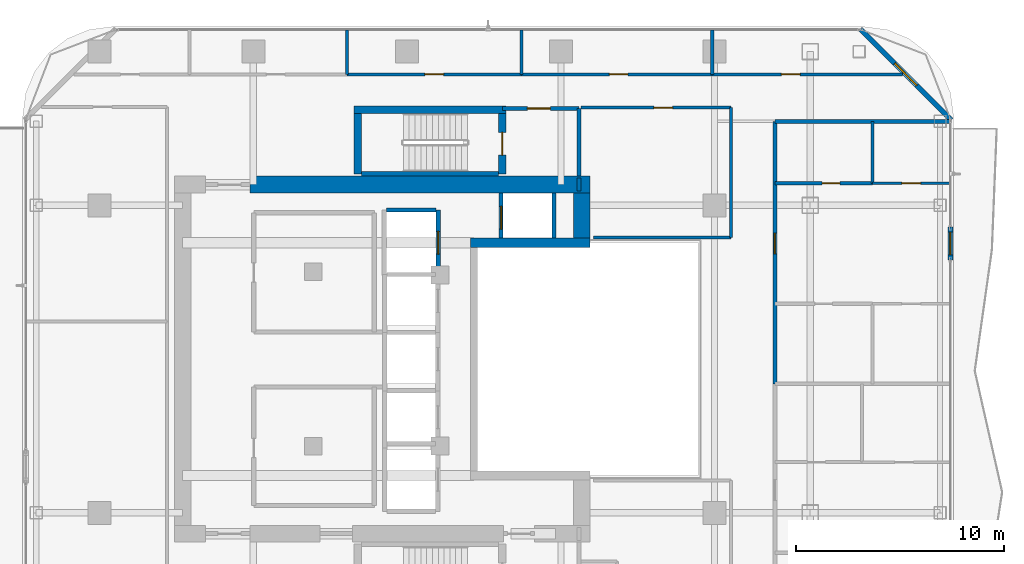
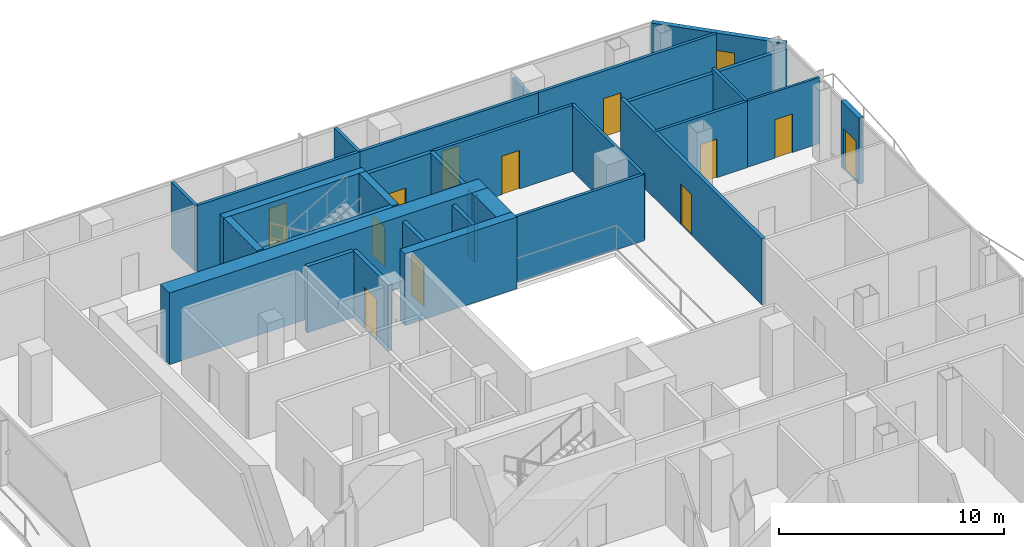
# One storey, part 23 of 27: 30 walls, 12 doors, 1 window, 13 openings.
"""IFC4 building model written with IfcOpenShell, lengths in metres."""

from ifc_helpers import new_model, si_unit, direction, frame, frame_2d, origin, place, context, subcontext, project, spatial, rectangle, extrude, material, layer, layer_set, type_object, element, fill, save


model = new_model("IFC4")

# Units and contexts
model_context = context("Model", 3, precision=1e-05, world=origin(), true_north=direction((0.0, 1.0)))
body_context = subcontext(model_context, "Body", "Model", "MODEL_VIEW")
ifc_project = project(units=[si_unit("LENGTHUNIT", "METRE"), si_unit("AREAUNIT", "SQUARE_METRE"), si_unit("VOLUMEUNIT", "CUBIC_METRE"), si_unit("PLANEANGLEUNIT", "RADIAN"), si_unit("MASSUNIT", "GRAM", prefix="KILO")], contexts=[model_context])

# Site, building, storey
site_placement = place(None, origin())
site = spatial("IfcSite", under=ifc_project, at=site_placement, CompositionType="ELEMENT")
building_placement = place(site_placement, origin())
building = spatial("IfcBuilding", under=site, at=building_placement, Name="Khorvyn Point Tower", CompositionType="ELEMENT")
storey_placement = place(building_placement, frame((0.0, 0.0, 231.300048828125)))
storey = spatial("IfcBuildingStorey", under=building, at=storey_placement, Name="L57", CompositionType="ELEMENT", Elevation=231.300048828125)

# Wall, opening, door
ifc_material_1 = material(Name="Double acoustic gypsum on twin steel stud", Category="steel")
ifc_layer_1 = layer(ifc_material_1, 0.179931640625)
ifc_layer_set_1 = layer_set([ifc_layer_1], Name="Acoustic Double-Stud Apartment Demising Wall 180")
wall_type_1 = type_object("IfcWallType", Name="Acoustic Double-Stud Apartment Demising Wall 180", PredefinedType="PARTITIONING", material=ifc_layer_set_1)
wall_1_placement = place(storey_placement, frame((17.699951171875, -1.193115234375, 0.0), z_axis=(0.0, 0.0, 1.0), x_axis=(0.0, 1.0, 0.0)))
wall_1 = element("IfcWall", 1, at=wall_1_placement, inside=storey, type_object=wall_type_1, Name="Wall", PredefinedType="PARTITIONING", context=body_context, shape_type="SweptSolid", body=[
    extrude(rectangle(XDim=12.623046875, YDim=0.179931640625, at=frame_2d((6.3115234375, 0.0))), origin(), (0.0, 0.0, 1.0), 3.599853515625),
])
opening_1_placement = place(wall_1_placement, frame((6.260009765625, 0.0, 0.0)))
opening_1 = element("IfcOpeningElement", 2, at=opening_1_placement, cuts=wall_1, Name="Opening ID-AP60", PredefinedType="OPENING", context=body_context, shape_type="SweptSolid", body=[
    extrude(rectangle(XDim=1.0, YDim=2.199951171875, at=frame_2d((0.5, 1.10009765625))), frame((0.0, 0.099853515625, 0.0), z_axis=(0.0, -1.0, 0.0), x_axis=(1.0, 0.0, 0.0)), (0.0, 0.0, 1.0), 0.199951171875),
])
ifc_material_2 = material(Name="Engineered hardwood fire-rated leaf", Category="wood")
door_type_1 = type_object("IfcDoorType", Name="Acoustic Solid-Core Timber Apartment Entrance Door 1000x2200", OperationType="NOTDEFINED", PredefinedType="DOOR", material=ifc_material_2)
door_1_placement = place(opening_1_placement, origin())
door_1 = element("IfcDoor", 3, at=door_1_placement, inside=storey, type_object=door_type_1, Name="Door", OperationType="SINGLE_SWING_LEFT", OverallHeight=2.199951171875, OverallWidth=1.0, PredefinedType="DOOR", context=body_context, shape_type="SweptSolid", body=[
    extrude(rectangle(XDim=1.0, YDim=2.199951171875, at=frame_2d((0.5, 1.10009765625))), frame((0.0, 0.02490234375, 0.0), z_axis=(0.0, -1.0, 0.0), x_axis=(1.0, 0.0, 0.0)), (0.0, 0.0, 1.0), 0.050048828125),
])
fill(opening_1, door_1)

# Wall
wall_2_placement = place(storey_placement, frame((17.699951171875, 11.429931640625, 0.0), z_axis=(0.0, 0.0, 1.0), x_axis=(1.0, 0.0, 0.0)))
element("IfcWall", 4, at=wall_2_placement, inside=storey, type_object=wall_type_1, Name="Wall", PredefinedType="PARTITIONING", context=body_context, shape_type="SweptSolid", body=[
    extrude(rectangle(XDim=8.429931640625, YDim=0.179931640625, at=frame_2d((4.21484375, 0.0))), origin(), (0.0, 0.0, 1.0), 3.33984375),
])

# Wall, opening, door
ifc_material_3 = material(Name="Pale anodised aluminium rainscreen on steel stud", Category="steel")
ifc_layer_2 = layer(ifc_material_3, 0.239990234375)
ifc_layer_set_2 = layer_set([ifc_layer_2], Name="Anodised Aluminium Insulated Corner Spandrel Wall 240")
wall_type_2 = type_object("IfcWallType", Name="Anodised Aluminium Insulated Corner Spandrel Wall 240", PredefinedType="SOLIDWALL", material=ifc_layer_set_2)
wall_3_placement = place(storey_placement, frame((26.14990234375, 6.35205078125, 0.0), z_axis=(0.0, 0.0, 1.0), x_axis=(0.0, -1.0, 0.0)))
wall_3 = element("IfcWall", 5, at=wall_3_placement, inside=storey, type_object=wall_type_2, Name="L57 East Outdoor Threshold Wall", PredefinedType="SOLIDWALL", context=body_context, shape_type="SweptSolid", body=[
    extrude(rectangle(XDim=1.580078125, YDim=0.239990234375, at=frame_2d((0.7900390625, 0.0))), origin(), (0.0, 0.0, 1.0), 3.599853515625),
])
opening_2_placement = place(wall_3_placement, frame((0.239990234375, 0.0, 0.0)))
opening_2 = element("IfcOpeningElement", 6, at=opening_2_placement, cuts=wall_3, Name="Opening BD-1122", PredefinedType="OPENING", context=body_context, shape_type="SweptSolid", body=[
    extrude(rectangle(XDim=1.10009765625, YDim=2.199951171875, at=frame_2d((0.550048828125, 1.10009765625))), frame((0.0, 0.1298828125, 0.0), z_axis=(0.0, -1.0, 0.0), x_axis=(1.0, 0.0, 0.0)), (0.0, 0.0, 1.0), 0.260009765625),
])
ifc_material_4 = material(Name="Anodised aluminium 6063-T6 and laminated Low-E glass", Category="aluminium")
door_type_2 = type_object("IfcDoorType", Name="Glazed Balcony and Terrace Threshold Door 1100x2200", OperationType="NOTDEFINED", PredefinedType="DOOR", material=ifc_material_4)
door_2_placement = place(opening_2_placement, origin())
door_2 = element("IfcDoor", 7, at=door_2_placement, inside=storey, type_object=door_type_2, Name="L57 East Glazed Balcony Outdoor Door", OperationType="SINGLE_SWING_LEFT", OverallHeight=2.199951171875, OverallWidth=1.10009765625, PredefinedType="DOOR", context=body_context, shape_type="SweptSolid", body=[
    extrude(rectangle(XDim=1.10009765625, YDim=2.199951171875, at=frame_2d((0.550048828125, 1.10009765625))), frame((0.0, 0.02490234375, 0.0), z_axis=(0.0, -1.0, 0.0), x_axis=(1.0, 0.0, 0.0)), (0.0, 0.0, 1.0), 0.050048828125),
])
fill(opening_2, door_2)

# Wall, opening, window
wall_4_placement = place(storey_placement, frame((21.8076171875, 15.892333984375, 0.0), z_axis=(0.0, 0.0, 1.0), x_axis=(0.707106781187, -0.707106781187, 0.0)))
wall_4 = element("IfcWall", 8, at=wall_4_placement, inside=storey, type_object=wall_type_2, Name="L57 Rounded Corner Wall NE", PredefinedType="SOLIDWALL", context=body_context, shape_type="SweptSolid", body=[
    extrude(rectangle(XDim=6.200927734375, YDim=0.239990234375, at=frame_2d((3.1005859375, 0.0))), origin(), (0.0, 0.0, 1.0), 3.599853515625),
])
opening_3_placement = place(wall_4_placement, frame((2.3505859375, 0.0, 0.800048828125)))
opening_3 = element("IfcOpeningElement", 9, at=opening_3_placement, cuts=wall_4, Name="Opening WN-1518", PredefinedType="OPENING", context=body_context, shape_type="SweptSolid", body=[
    extrude(rectangle(XDim=1.5, YDim=1.85009765625, at=frame_2d((0.75, 0.925048828125))), frame((0.0, 0.1298828125, 0.0), z_axis=(0.0, -1.0, 0.0), x_axis=(1.0, 0.0, 0.0)), (0.0, 0.0, 1.0), 0.260009765625),
])
window_type = type_object("IfcWindowType", Name="Anodised Aluminium Rounded-Corner Panoramic Window 1500x1850", PartitioningType="SINGLE_PANEL", PredefinedType="WINDOW", material=ifc_material_4)
window_placement = place(opening_3_placement, origin())
window = element("IfcWindow", 10, at=window_placement, inside=storey, type_object=window_type, Name="L57 Corner Panoramic Window NE", OverallHeight=1.85009765625, OverallWidth=1.5, PartitioningType="SINGLE_PANEL", PredefinedType="WINDOW", context=body_context, shape_type="SweptSolid", body=[
    extrude(rectangle(XDim=1.5, YDim=1.85009765625, at=frame_2d((0.75, 0.925048828125))), frame((0.0, 0.030029296875, 0.0), z_axis=(0.0, -1.0, 0.0), x_axis=(1.0, 0.0, 0.0)), (0.0, 0.0, 1.0), 0.06005859375),
])
fill(opening_3, window)

# Wall
ifc_material_5 = material(Name="Concrete C40/50", Category="concrete")
ifc_layer_3 = layer(ifc_material_5, 0.449951171875)
ifc_layer_set_3 = layer_set([ifc_layer_3], Name="Concrete C40/50 Core Shear Wall 450")
wall_type_3 = type_object("IfcWallType", Name="Concrete C40/50 Core Shear Wall 450", PredefinedType="SHEAR", material=ifc_layer_set_3)
wall_5_placement = place(storey_placement, frame((3.044921875, 5.60009765625, 0.0), z_axis=(0.0, 0.0, 1.0), x_axis=(1.0, 0.0, 0.0)))
element("IfcWall", 11, at=wall_5_placement, inside=storey, type_object=wall_type_3, Name="Wall", PredefinedType="SHEAR", context=body_context, shape_type="SweptSolid", body=[
    extrude(rectangle(XDim=5.755126953125, YDim=0.449951171875, at=frame_2d((2.87744140625, 0.0))), origin(), (0.0, 0.0, 1.0), 3.89990234375),
])

# Wall, opening, door
ifc_layer_4 = layer(ifc_material_5, 0.199951171875)
ifc_layer_set_4 = layer_set([ifc_layer_4], Name="Concrete C40/50 Fire-Lobby Compartment Wall 200")
wall_type_4 = type_object("IfcWallType", Name="Concrete C40/50 Fire-Lobby Compartment Wall 200", PredefinedType="SOLIDWALL", material=ifc_layer_set_4)
wall_6_placement = place(storey_placement, frame((4.580078125, 12.06005859375, 0.0), z_axis=(0.0, 0.0, 1.0), x_axis=(1.0, 0.0, 0.0)))
wall_6 = element("IfcWall", 12, at=wall_6_placement, inside=storey, type_object=wall_type_4, Name="Wall", PredefinedType="SOLIDWALL", context=body_context, shape_type="SweptSolid", body=[
    extrude(rectangle(XDim=3.699951171875, YDim=0.199951171875, at=frame_2d((1.85009765625, 0.0))), origin(), (0.0, 0.0, 1.0), 3.599853515625),
])
opening_4_placement = place(wall_6_placement, frame((1.21240234375, 0.0, 0.0)))
opening_4 = element("IfcOpeningElement", 13, at=opening_4_placement, cuts=wall_6, Name="Opening ID-FL90", PredefinedType="OPENING", context=body_context, shape_type="SweptSolid", body=[
    extrude(rectangle(XDim=1.10009765625, YDim=2.14990234375, at=frame_2d((0.550048828125, 1.074951171875))), frame((0.0, 0.10986328125, 0.0), z_axis=(0.0, -1.0, 0.0), x_axis=(1.0, 0.0, 0.0)), (0.0, 0.0, 1.0), 0.219970703125),
])
ifc_material_6 = material(Name="Galvanised powder-coated steel", Category="steel")
door_type_3 = type_object("IfcDoorType", Name="Fire-Rated Steel Lobby and Stair Door 1100x2150", OperationType="NOTDEFINED", PredefinedType="DOOR", material=ifc_material_6)
door_3_placement = place(opening_4_placement, origin())
door_3 = element("IfcDoor", 14, at=door_3_placement, inside=storey, type_object=door_type_3, Name="Door", OperationType="SINGLE_SWING_LEFT", OverallHeight=2.14990234375, OverallWidth=1.10009765625, PredefinedType="DOOR", context=body_context, shape_type="SweptSolid", body=[
    extrude(rectangle(XDim=1.10009765625, YDim=2.14990234375, at=frame_2d((0.550048828125, 1.074951171875))), frame((0.0, 0.02490234375, 0.0), z_axis=(0.0, -1.0, 0.0), x_axis=(1.0, 0.0, 0.0)), (0.0, 0.0, 1.0), 0.050048828125),
])
fill(opening_4, door_3)

# Walls
wall_7_placement = place(storey_placement, frame((8.280029296875, 8.800048828125, 0.0), z_axis=(0.0, 0.0, 1.0), x_axis=(0.0, 1.0, 0.0)))
element("IfcWall", 15, at=wall_7_placement, inside=storey, type_object=wall_type_4, Name="Wall", PredefinedType="SOLIDWALL", context=body_context, shape_type="SweptSolid", body=[
    extrude(rectangle(XDim=3.260009765625, YDim=0.199951171875, at=frame_2d((1.6298828125, 0.0))), origin(), (0.0, 0.0, 1.0), 3.599853515625),
])
wall_8_placement = place(storey_placement, frame((8.280029296875, 8.10009765625, 0.0), z_axis=(0.0, 0.0, 1.0), x_axis=(0.0, 1.0, 0.0)))
element("IfcWall", 16, at=wall_8_placement, inside=storey, type_object=wall_type_4, Name="Wall", PredefinedType="SOLIDWALL", context=body_context, shape_type="SweptSolid", body=[
    extrude(rectangle(XDim=0.625, YDim=0.199951171875, at=frame_2d((0.3125, 0.0))), origin(), (0.0, 0.0, 1.0), 3.599853515625),
])
ifc_layer_5 = layer(ifc_material_5, 0.25)
ifc_layer_set_5 = layer_set([ifc_layer_5], Name="Concrete C40/50 Stair Inner Cheek Structural Wall 250")
wall_type_5 = type_object("IfcWallType", Name="Concrete C40/50 Stair Inner Cheek Structural Wall 250", PredefinedType="SHEAR", material=ifc_layer_set_5)
wall_9_placement = place(storey_placement, frame((-2.199951171875, 8.91259765625, 0.0), z_axis=(0.0, 0.0, 1.0), x_axis=(1.0, 0.0, 0.0)))
element("IfcWall", 17, at=wall_9_placement, inside=storey, type_object=wall_type_5, Name="Wall", PredefinedType="SHEAR", context=body_context, shape_type="SweptSolid", body=[
    extrude(rectangle(XDim=6.599853515625, YDim=0.22509765625, at=frame_2d((3.2998046875, 0.0))), origin(), (0.0, 0.0, 1.0), 3.89990234375),
])
ifc_layer_6 = layer(ifc_material_5, 0.35009765625)
ifc_layer_set_6 = layer_set([ifc_layer_6], Name="Concrete C40/50 Stair Shaft Structural Wall 350")
wall_type_6 = type_object("IfcWallType", Name="Concrete C40/50 Stair Shaft Structural Wall 350", PredefinedType="SHEAR", material=ifc_layer_set_6)
wall_10_placement = place(storey_placement, frame((-2.554931640625, 12.0, 0.0), z_axis=(0.0, 0.0, 1.0), x_axis=(1.0, 0.0, 0.0)))
element("IfcWall", 18, at=wall_10_placement, inside=storey, type_object=wall_type_6, Name="L57 ST-02 North Shaft Wall", PredefinedType="SHEAR", context=body_context, shape_type="SweptSolid", body=[
    extrude(rectangle(XDim=7.309814453125, YDim=0.35009765625, at=frame_2d((3.65478515625, 0.0))), origin(), (0.0, 0.0, 1.0), 3.89990234375),
])
wall_11_placement = place(storey_placement, frame((-2.3798828125, 8.89990234375, 0.0), z_axis=(0.0, 0.0, 1.0), x_axis=(0.0, 1.0, 0.0)))
element("IfcWall", 19, at=wall_11_placement, inside=storey, type_object=wall_type_6, Name="L57 ST-02 West Shaft Wall", PredefinedType="SHEAR", context=body_context, shape_type="SweptSolid", body=[
    extrude(rectangle(XDim=2.925048828125, YDim=0.35009765625, at=frame_2d((1.46240234375, 0.0))), origin(), (0.0, 0.0, 1.0), 3.89990234375),
])

# Wall, opening, door
wall_12_placement = place(storey_placement, frame((4.580078125, 11.824951171875, 0.0), z_axis=(0.0, 0.0, 1.0), x_axis=(0.0, -1.0, 0.0)))
wall_12 = element("IfcWall", 20, at=wall_12_placement, inside=storey, type_object=wall_type_6, Name="L57 ST-02 East Landing Door Wall", PredefinedType="SHEAR", context=body_context, shape_type="SweptSolid", body=[
    extrude(rectangle(XDim=2.925048828125, YDim=0.35009765625, at=frame_2d((1.46240234375, 0.0))), origin(), (0.0, 0.0, 1.0), 3.89990234375),
])
opening_5_placement = place(wall_12_placement, frame((0.91259765625, 0.0, 0.0)))
opening_5 = element("IfcOpeningElement", 21, at=opening_5_placement, cuts=wall_12, Name="Opening ID-FL90", PredefinedType="OPENING", context=body_context, shape_type="SweptSolid", body=[
    extrude(rectangle(XDim=1.10009765625, YDim=2.14990234375, at=frame_2d((0.550048828125, 1.074951171875))), frame((0.0, 0.18505859375, 0.0), z_axis=(0.0, -1.0, 0.0), x_axis=(1.0, 0.0, 0.0)), (0.0, 0.0, 1.0), 0.3701171875),
])
door_4_placement = place(opening_5_placement, origin())
door_4 = element("IfcDoor", 22, at=door_4_placement, inside=storey, type_object=door_type_3, Name="L57 ST-02 Smokeproof Landing Door", OperationType="SINGLE_SWING_RIGHT", OverallHeight=2.14990234375, OverallWidth=1.10009765625, PredefinedType="DOOR", context=body_context, shape_type="SweptSolid", body=[
    extrude(rectangle(XDim=1.10009765625, YDim=2.14990234375, at=frame_2d((0.550048828125, 1.074951171875))), frame((0.0, 0.02490234375, 0.0), z_axis=(0.0, -1.0, 0.0), x_axis=(1.0, 0.0, 0.0)), (0.0, 0.0, 1.0), 0.050048828125),
])
fill(opening_5, door_4)

ifc_layer_7 = layer(ifc_material_5, 0.199951171875)
ifc_layer_set_7 = layer_set([ifc_layer_7], Name="Concrete C40/50 Structural Hoistway and Stair Shaft Wall 200")
wall_type_7 = type_object("IfcWallType", Name="Concrete C40/50 Structural Hoistway and Stair Shaft Wall 200", PredefinedType="SHEAR", material=ifc_layer_set_7)
wall_13_placement = place(storey_placement, frame((1.5, 4.02490234375, 0.0), z_axis=(0.0, 0.0, 1.0), x_axis=(0.0, 1.0, 0.0)))
wall_13 = element("IfcWall", 23, at=wall_13_placement, inside=storey, type_object=wall_type_7, Name="Wall", PredefinedType="SHEAR", context=body_context, shape_type="SweptSolid", body=[
    extrude(rectangle(XDim=3.150146484375, YDim=0.199951171875, at=frame_2d((1.5751953125, 0.0))), origin(), (0.0, 0.0, 1.0), 3.599853515625),
])
opening_6_placement = place(wall_13_placement, frame((1.02490234375, 0.0, 0.0)))
opening_6 = element("IfcOpeningElement", 24, at=opening_6_placement, cuts=wall_13, Name="Opening LD-1122", PredefinedType="OPENING", context=body_context, shape_type="SweptSolid", body=[
    extrude(rectangle(XDim=1.10009765625, YDim=2.199951171875, at=frame_2d((0.550048828125, 1.10009765625))), frame((0.0, 0.10986328125, 0.0), z_axis=(0.0, -1.0, 0.0), x_axis=(1.0, 0.0, 0.0)), (0.0, 0.0, 1.0), 0.219970703125),
])
ifc_material_7 = material(Name="Stainless steel 1.4301", Category="steel")
door_type_4 = type_object("IfcDoorType", Name="Stainless Steel Automatic Sliding Lift Landing Door 1100x2200", OperationType="SLIDING_TO_LEFT", PredefinedType="DOOR", material=ifc_material_7)
door_5_placement = place(opening_6_placement, origin())
door_5 = element("IfcDoor", 25, at=door_5_placement, inside=storey, type_object=door_type_4, Name="L57 SV-01 Sliding Lift Landing Door", OperationType="SLIDING_TO_LEFT", OverallHeight=2.199951171875, OverallWidth=1.10009765625, PredefinedType="DOOR", context=body_context, shape_type="SweptSolid", body=[
    extrude(rectangle(XDim=1.10009765625, YDim=2.199951171875, at=frame_2d((0.550048828125, 1.10009765625))), frame((0.0, 0.02490234375, 0.0), z_axis=(0.0, -1.0, 0.0), x_axis=(1.0, 0.0, 0.0)), (0.0, 0.0, 1.0), 0.050048828125),
])
fill(opening_6, door_5)

# Wall
wall_14_placement = place(storey_placement, frame((-1.0, 7.175048828125, 0.0), z_axis=(0.0, 0.0, 1.0), x_axis=(1.0, 0.0, 0.0)))
element("IfcWall", 26, at=wall_14_placement, inside=storey, type_object=wall_type_7, Name="Wall", PredefinedType="SHEAR", context=body_context, shape_type="SweptSolid", body=[
    extrude(rectangle(XDim=2.39990234375, YDim=0.199951171875, at=frame_2d((1.199951171875, 0.0))), origin(), (0.0, 0.0, 1.0), 3.599853515625),
])

# Wall, opening, door
wall_15_placement = place(storey_placement, frame((4.52490234375, 5.824951171875, 0.0), z_axis=(0.0, 0.0, 1.0), x_axis=(0.0, 1.0, 0.0)))
wall_15 = element("IfcWall", 27, at=wall_15_placement, inside=storey, type_object=wall_type_7, Name="Wall", PredefinedType="SHEAR", context=body_context, shape_type="SweptSolid", body=[
    extrude(rectangle(XDim=2.175048828125, YDim=0.199951171875, at=frame_2d((1.08740234375, 0.0))), origin(), (0.0, 0.0, 1.0), 3.599853515625),
])
opening_7_placement = place(wall_15_placement, frame((0.425048828125, 0.0, 0.0)))
opening_7 = element("IfcOpeningElement", 28, at=opening_7_placement, cuts=wall_15, Name="Opening LD-1122", PredefinedType="OPENING", context=body_context, shape_type="SweptSolid", body=[
    extrude(rectangle(XDim=1.10009765625, YDim=2.199951171875, at=frame_2d((0.550048828125, 1.10009765625))), frame((0.0, 0.10986328125, 0.0), z_axis=(0.0, -1.0, 0.0), x_axis=(1.0, 0.0, 0.0)), (0.0, 0.0, 1.0), 0.219970703125),
])
door_6_placement = place(opening_7_placement, origin())
door_6 = element("IfcDoor", 29, at=door_6_placement, inside=storey, type_object=door_type_4, Name="L57 FF-02 Sliding Lift Landing Door", OperationType="SLIDING_TO_LEFT", OverallHeight=2.199951171875, OverallWidth=1.10009765625, PredefinedType="DOOR", context=body_context, shape_type="SweptSolid", body=[
    extrude(rectangle(XDim=1.10009765625, YDim=2.199951171875, at=frame_2d((0.550048828125, 1.10009765625))), frame((0.0, 0.02490234375, 0.0), z_axis=(0.0, -1.0, 0.0), x_axis=(1.0, 0.0, 0.0)), (0.0, 0.0, 1.0), 0.050048828125),
])
fill(opening_7, door_6)

# Walls
wall_16_placement = place(storey_placement, frame((7.074951171875, 5.824951171875, 0.0), z_axis=(0.0, 0.0, 1.0), x_axis=(0.0, 1.0, 0.0)))
element("IfcWall", 30, at=wall_16_placement, inside=storey, type_object=wall_type_7, Name="Wall", PredefinedType="SHEAR", context=body_context, shape_type="SweptSolid", body=[
    extrude(rectangle(XDim=2.175048828125, YDim=0.199951171875, at=frame_2d((1.08740234375, 0.0))), origin(), (0.0, 0.0, 1.0), 3.599853515625),
])
ifc_material_8 = material(Name="Concrete C45/55", Category="concrete")
ifc_layer_8 = layer(ifc_material_8, 0.800048828125)
ifc_layer_set_8 = layer_set([ifc_layer_8], Name="Concrete C45/55 Core Shear Wall 800")
wall_type_8 = type_object("IfcWallType", Name="Concrete C45/55 Core Shear Wall 800", PredefinedType="SHEAR", material=ifc_layer_set_8)
wall_17_placement = place(storey_placement, frame((-7.550048828125, 8.39990234375, 0.0), z_axis=(0.0, 0.0, 1.0), x_axis=(1.0, 0.0, 0.0)))
element("IfcWall", 31, at=wall_17_placement, inside=storey, type_object=wall_type_8, Name="Wall", PredefinedType="SHEAR", context=body_context, shape_type="SweptSolid", body=[
    extrude(rectangle(XDim=16.35009765625, YDim=0.800048828125, at=frame_2d((8.175048828125, 0.0))), origin(), (0.0, 0.0, 1.0), 3.89990234375),
])
wall_18_placement = place(storey_placement, frame((8.39990234375, 5.824951171875, 0.0), z_axis=(0.0, 0.0, 1.0), x_axis=(0.0, 1.0, 0.0)))
element("IfcWall", 32, at=wall_18_placement, inside=storey, type_object=wall_type_8, Name="Wall", PredefinedType="SHEAR", context=body_context, shape_type="SweptSolid", body=[
    extrude(rectangle(XDim=2.175048828125, YDim=0.800048828125, at=frame_2d((1.08740234375, 0.0))), origin(), (0.0, 0.0, 1.0), 3.89990234375),
])

# Wall, opening, door
ifc_material_9 = material(Name="Gypsum plasterboard on steel stud", Category="steel")
ifc_layer_9 = layer(ifc_material_9, 0.1201171875)
ifc_layer_set_9 = layer_set([ifc_layer_9], Name="Gypsum Acoustic Stud Room Partition Wall 120")
wall_type_9 = type_object("IfcWallType", Name="Gypsum Acoustic Stud Room Partition Wall 120", PredefinedType="PARTITIONING", material=ifc_layer_set_9)
wall_19_placement = place(storey_placement, frame((22.39306640625, 8.4609375, 0.0), z_axis=(0.0, 0.0, 1.0), x_axis=(1.0, 0.0, 0.0)))
wall_19 = element("IfcWall", 33, at=wall_19_placement, inside=storey, type_object=wall_type_9, Name="Wall", PredefinedType="PARTITIONING", context=body_context, shape_type="SweptSolid", body=[
    extrude(rectangle(XDim=3.73681640625, YDim=0.1201171875, at=frame_2d((1.868408203125, 0.0))), origin(), (0.0, 0.0, 1.0), 3.599853515625),
])
opening_8_placement = place(wall_19_placement, frame((1.41845703125, 0.0, 0.0)))
opening_8 = element("IfcOpeningElement", 34, at=opening_8_placement, cuts=wall_19, Name="Opening ID-RM90", PredefinedType="OPENING", context=body_context, shape_type="SweptSolid", body=[
    extrude(rectangle(XDim=0.89990234375, YDim=2.10009765625, at=frame_2d((0.449951171875, 1.050048828125))), frame((0.0, 0.070068359375, 0.0), z_axis=(0.0, -1.0, 0.0), x_axis=(1.0, 0.0, 0.0)), (0.0, 0.0, 1.0), 0.14013671875),
])
ifc_material_10 = material(Name="Engineered oak veneer timber", Category="wood")
door_type_5 = type_object("IfcDoorType", Name="Flush Engineered Timber Room Door 900x2100", OperationType="NOTDEFINED", PredefinedType="DOOR", material=ifc_material_10)
door_7_placement = place(opening_8_placement, origin())
door_7 = element("IfcDoor", 35, at=door_7_placement, inside=storey, type_object=door_type_5, Name="Door", OperationType="SINGLE_SWING_LEFT", OverallHeight=2.10009765625, OverallWidth=0.89990234375, PredefinedType="DOOR", context=body_context, shape_type="SweptSolid", body=[
    extrude(rectangle(XDim=0.89990234375, YDim=2.10009765625, at=frame_2d((0.449951171875, 1.050048828125))), frame((0.0, 0.02490234375, 0.0), z_axis=(0.0, -1.0, 0.0), x_axis=(1.0, 0.0, 0.0)), (0.0, 0.0, 1.0), 0.050048828125),
])
fill(opening_8, door_7)

ifc_material_11 = material(Name="Moisture-resistant gypsum and cement board", Category="gypsum")
ifc_layer_10 = layer(ifc_material_11, 0.14990234375)
ifc_layer_set_10 = layer_set([ifc_layer_10], Name="Moisture-Resistant Wet-Room Partition Wall 150")
wall_type_10 = type_object("IfcWallType", Name="Moisture-Resistant Wet-Room Partition Wall 150", PredefinedType="PARTITIONING", material=ifc_layer_set_10)
wall_20_placement = place(storey_placement, frame((8.360107421875, 12.10009765625, 0.0), z_axis=(0.0, 0.0, 1.0), x_axis=(1.0, 0.0, 0.0)))
wall_20 = element("IfcWall", 36, at=wall_20_placement, inside=storey, type_object=wall_type_10, Name="Wall", PredefinedType="PARTITIONING", context=body_context, shape_type="SweptSolid", body=[
    extrude(rectangle(XDim=7.219970703125, YDim=0.14990234375, at=frame_2d((3.60986328125, 0.0))), origin(), (0.0, 0.0, 1.0), 3.599853515625),
])
opening_9_placement = place(wall_20_placement, frame((3.512939453125, 0.0, 0.0)))
opening_9 = element("IfcOpeningElement", 37, at=opening_9_placement, cuts=wall_20, Name="Opening ID-RM90", PredefinedType="OPENING", context=body_context, shape_type="SweptSolid", body=[
    extrude(rectangle(XDim=0.89990234375, YDim=2.10009765625, at=frame_2d((0.449951171875, 1.050048828125))), frame((0.0, 0.0849609375, 0.0), z_axis=(0.0, -1.0, 0.0), x_axis=(1.0, 0.0, 0.0)), (0.0, 0.0, 1.0), 0.169921875),
])
door_8_placement = place(opening_9_placement, origin())
door_8 = element("IfcDoor", 38, at=door_8_placement, inside=storey, type_object=door_type_5, Name="Door", OperationType="SINGLE_SWING_RIGHT", OverallHeight=2.10009765625, OverallWidth=0.89990234375, PredefinedType="DOOR", context=body_context, shape_type="SweptSolid", body=[
    extrude(rectangle(XDim=0.89990234375, YDim=2.10009765625, at=frame_2d((0.449951171875, 1.050048828125))), frame((0.0, 0.02490234375, 0.0), z_axis=(0.0, -1.0, 0.0), x_axis=(1.0, 0.0, 0.0)), (0.0, 0.0, 1.0), 0.050048828125),
])
fill(opening_9, door_8)

wall_21_placement = place(storey_placement, frame((-2.888916015625, 13.699951171875, 0.0), z_axis=(0.0, 0.0, 1.0), x_axis=(1.0, 0.0, 0.0)))
wall_21 = element("IfcWall", 39, at=wall_21_placement, inside=storey, type_object=wall_type_10, Name="Wall", PredefinedType="PARTITIONING", context=body_context, shape_type="SweptSolid", body=[
    extrude(rectangle(XDim=8.386962890625, YDim=0.14990234375, at=frame_2d((4.193359375, 0.0))), origin(), (0.0, 0.0, 1.0), 3.599853515625),
])
opening_10_placement = place(wall_21_placement, frame((3.743408203125, 0.0, 0.0)))
opening_10 = element("IfcOpeningElement", 40, at=opening_10_placement, cuts=wall_21, Name="Opening ID-RM90", PredefinedType="OPENING", context=body_context, shape_type="SweptSolid", body=[
    extrude(rectangle(XDim=0.89990234375, YDim=2.10009765625, at=frame_2d((0.449951171875, 1.050048828125))), frame((0.0, 0.0849609375, 0.0), z_axis=(0.0, -1.0, 0.0), x_axis=(1.0, 0.0, 0.0)), (0.0, 0.0, 1.0), 0.169921875),
])
door_9_placement = place(opening_10_placement, origin())
door_9 = element("IfcDoor", 41, at=door_9_placement, inside=storey, type_object=door_type_5, Name="Door", OperationType="SINGLE_SWING_LEFT", OverallHeight=2.10009765625, OverallWidth=0.89990234375, PredefinedType="DOOR", context=body_context, shape_type="SweptSolid", body=[
    extrude(rectangle(XDim=0.89990234375, YDim=2.10009765625, at=frame_2d((0.449951171875, 1.050048828125))), frame((0.0, 0.02490234375, 0.0), z_axis=(0.0, -1.0, 0.0), x_axis=(1.0, 0.0, 0.0)), (0.0, 0.0, 1.0), 0.050048828125),
])
fill(opening_10, door_9)

wall_22_placement = place(storey_placement, frame((5.498046875, 13.699951171875, 0.0), z_axis=(0.0, 0.0, 1.0), x_axis=(1.0, 0.0, 0.0)))
wall_22 = element("IfcWall", 42, at=wall_22_placement, inside=storey, type_object=wall_type_10, Name="Wall", PredefinedType="PARTITIONING", context=body_context, shape_type="SweptSolid", body=[
    extrude(rectangle(XDim=9.18603515625, YDim=0.14990234375, at=frame_2d((4.593017578125, 0.0))), origin(), (0.0, 0.0, 1.0), 3.599853515625),
])
opening_11_placement = place(wall_22_placement, frame((4.2314453125, 0.0, 0.0)))
opening_11 = element("IfcOpeningElement", 43, at=opening_11_placement, cuts=wall_22, Name="Opening ID-RM90", PredefinedType="OPENING", context=body_context, shape_type="SweptSolid", body=[
    extrude(rectangle(XDim=0.89990234375, YDim=2.10009765625, at=frame_2d((0.449951171875, 1.050048828125))), frame((0.0, 0.0849609375, 0.0), z_axis=(0.0, -1.0, 0.0), x_axis=(1.0, 0.0, 0.0)), (0.0, 0.0, 1.0), 0.169921875),
])
door_10_placement = place(opening_11_placement, origin())
door_10 = element("IfcDoor", 44, at=door_10_placement, inside=storey, type_object=door_type_5, Name="Door", OperationType="SINGLE_SWING_RIGHT", OverallHeight=2.10009765625, OverallWidth=0.89990234375, PredefinedType="DOOR", context=body_context, shape_type="SweptSolid", body=[
    extrude(rectangle(XDim=0.89990234375, YDim=2.10009765625, at=frame_2d((0.449951171875, 1.050048828125))), frame((0.0, 0.02490234375, 0.0), z_axis=(0.0, -1.0, 0.0), x_axis=(1.0, 0.0, 0.0)), (0.0, 0.0, 1.0), 0.050048828125),
])
fill(opening_11, door_10)

wall_23_placement = place(storey_placement, frame((14.68408203125, 13.699951171875, 0.0), z_axis=(0.0, 0.0, 1.0), x_axis=(1.0, 0.0, 0.0)))
wall_23 = element("IfcWall", 45, at=wall_23_placement, inside=storey, type_object=wall_type_10, Name="Wall", PredefinedType="PARTITIONING", context=body_context, shape_type="SweptSolid", body=[
    extrude(rectangle(XDim=9.14599609375, YDim=0.14990234375, at=frame_2d((4.572998046875, 0.0))), origin(), (0.0, 0.0, 1.0), 3.599853515625),
])
opening_12_placement = place(wall_23_placement, frame((3.330322265625, 0.0, 0.0)))
opening_12 = element("IfcOpeningElement", 46, at=opening_12_placement, cuts=wall_23, Name="Opening ID-RM90", PredefinedType="OPENING", context=body_context, shape_type="SweptSolid", body=[
    extrude(rectangle(XDim=0.89990234375, YDim=2.10009765625, at=frame_2d((0.449951171875, 1.050048828125))), frame((0.0, 0.0849609375, 0.0), z_axis=(0.0, -1.0, 0.0), x_axis=(1.0, 0.0, 0.0)), (0.0, 0.0, 1.0), 0.169921875),
])
door_11_placement = place(opening_12_placement, origin())
door_11 = element("IfcDoor", 47, at=door_11_placement, inside=storey, type_object=door_type_5, Name="Door", OperationType="SINGLE_SWING_LEFT", OverallHeight=2.10009765625, OverallWidth=0.89990234375, PredefinedType="DOOR", context=body_context, shape_type="SweptSolid", body=[
    extrude(rectangle(XDim=0.89990234375, YDim=2.10009765625, at=frame_2d((0.449951171875, 1.050048828125))), frame((0.0, 0.02490234375, 0.0), z_axis=(0.0, -1.0, 0.0), x_axis=(1.0, 0.0, 0.0)), (0.0, 0.0, 1.0), 0.050048828125),
])
fill(opening_12, door_11)

wall_24_placement = place(storey_placement, frame((17.699951171875, 8.4609375, 0.0), z_axis=(0.0, 0.0, 1.0), x_axis=(1.0, 0.0, 0.0)))
wall_24 = element("IfcWall", 48, at=wall_24_placement, inside=storey, type_object=wall_type_10, Name="Wall", PredefinedType="PARTITIONING", context=body_context, shape_type="SweptSolid", body=[
    extrude(rectangle(XDim=4.693115234375, YDim=0.14990234375, at=frame_2d((2.3466796875, 0.0))), origin(), (0.0, 0.0, 1.0), 3.599853515625),
])
opening_13_placement = place(wall_24_placement, frame((2.273681640625, 0.0, 0.0)))
opening_13 = element("IfcOpeningElement", 49, at=opening_13_placement, cuts=wall_24, Name="Opening ID-WC85", PredefinedType="OPENING", context=body_context, shape_type="SweptSolid", body=[
    extrude(rectangle(XDim=0.85009765625, YDim=2.10009765625, at=frame_2d((0.425048828125, 1.050048828125))), frame((0.0, 0.0849609375, 0.0), z_axis=(0.0, -1.0, 0.0), x_axis=(1.0, 0.0, 0.0)), (0.0, 0.0, 1.0), 0.169921875),
])
ifc_material_12 = material(Name="High-pressure laminate on moisture-resistant core", Category="wood")
door_type_6 = type_object("IfcDoorType", Name="Moisture-Resistant Accessible Washroom Door 850x2100", OperationType="NOTDEFINED", PredefinedType="DOOR", material=ifc_material_12)
door_12_placement = place(opening_13_placement, origin())
door_12 = element("IfcDoor", 50, at=door_12_placement, inside=storey, type_object=door_type_6, Name="Door", OperationType="SINGLE_SWING_RIGHT", OverallHeight=2.10009765625, OverallWidth=0.85009765625, PredefinedType="DOOR", context=body_context, shape_type="SweptSolid", body=[
    extrude(rectangle(XDim=0.85009765625, YDim=2.10009765625, at=frame_2d((0.425048828125, 1.050048828125))), frame((0.0, 0.02490234375, 0.0), z_axis=(0.0, -1.0, 0.0), x_axis=(1.0, 0.0, 0.0)), (0.0, 0.0, 1.0), 0.050048828125),
])
fill(opening_13, door_12)

# Walls
wall_25_placement = place(storey_placement, frame((15.580078125, 5.85009765625, 0.0), z_axis=(0.0, 0.0, 1.0), x_axis=(0.0, 1.0, 0.0)))
element("IfcWall", 51, at=wall_25_placement, inside=storey, type_object=wall_type_10, Name="Wall", PredefinedType="PARTITIONING", context=body_context, shape_type="SweptSolid", body=[
    extrude(rectangle(XDim=6.25, YDim=0.14990234375, at=frame_2d((3.125, 0.0))), origin(), (0.0, 0.0, 1.0), 3.599853515625),
])
wall_26_placement = place(storey_placement, frame((8.9599609375, 5.85009765625, 0.0), z_axis=(0.0, 0.0, 1.0), x_axis=(1.0, 0.0, 0.0)))
element("IfcWall", 52, at=wall_26_placement, inside=storey, type_object=wall_type_10, Name="Wall", PredefinedType="PARTITIONING", context=body_context, shape_type="SweptSolid", body=[
    extrude(rectangle(XDim=6.6201171875, YDim=0.14990234375, at=frame_2d((3.31005859375, 0.0))), origin(), (0.0, 0.0, 1.0), 3.599853515625),
])
for number, where, z_axis, x_axis, name in (
    (53, (-2.888916015625, 13.699951171875, 0.0), (0.0, 0.0, 1.0), (0.0, 1.0, 0.0), "Wall"),
    (54, (5.498046875, 13.699951171875, 0.0), (0.0, 0.0, 1.0), (0.0, 1.0, 0.0), "Wall"),
):
    element("IfcWall", number, at=place(storey_placement, frame(where, z_axis=z_axis, x_axis=x_axis)), inside=storey, type_object=wall_type_10, Name=name, PredefinedType="PARTITIONING", context=body_context, shape_type="SweptSolid", body=[
        extrude(rectangle(XDim=2.130126953125, YDim=0.14990234375, at=frame_2d((1.06494140625, 0.0))), origin(), (0.0, 0.0, 1.0), 3.599853515625),
    ])
wall_27_placement = place(storey_placement, frame((14.68408203125, 13.699951171875, 0.0), z_axis=(0.0, 0.0, 1.0), x_axis=(0.0, 1.0, 0.0)))
element("IfcWall", 55, at=wall_27_placement, inside=storey, type_object=wall_type_10, Name="Wall", PredefinedType="PARTITIONING", context=body_context, shape_type="SweptSolid", body=[
    extrude(rectangle(XDim=2.130126953125, YDim=0.14990234375, at=frame_2d((1.06494140625, 0.0))), origin(), (0.0, 0.0, 1.0), 3.10205078125),
])
wall_28_placement = place(storey_placement, frame((22.39306640625, 8.4609375, 0.0), z_axis=(0.0, 0.0, 1.0), x_axis=(0.0, 1.0, 0.0)))
element("IfcWall", 56, at=wall_28_placement, inside=storey, type_object=wall_type_10, Name="Wall", PredefinedType="PARTITIONING", context=body_context, shape_type="SweptSolid", body=[
    extrude(rectangle(XDim=2.968994140625, YDim=0.14990234375, at=frame_2d((1.484375, 0.0))), origin(), (0.0, 0.0, 1.0), 3.599853515625),
])

save(model, "model.ifc")
